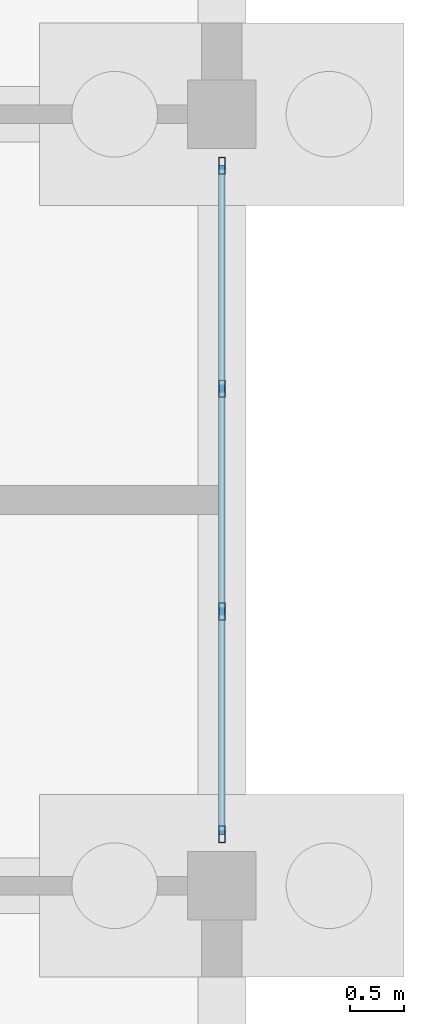
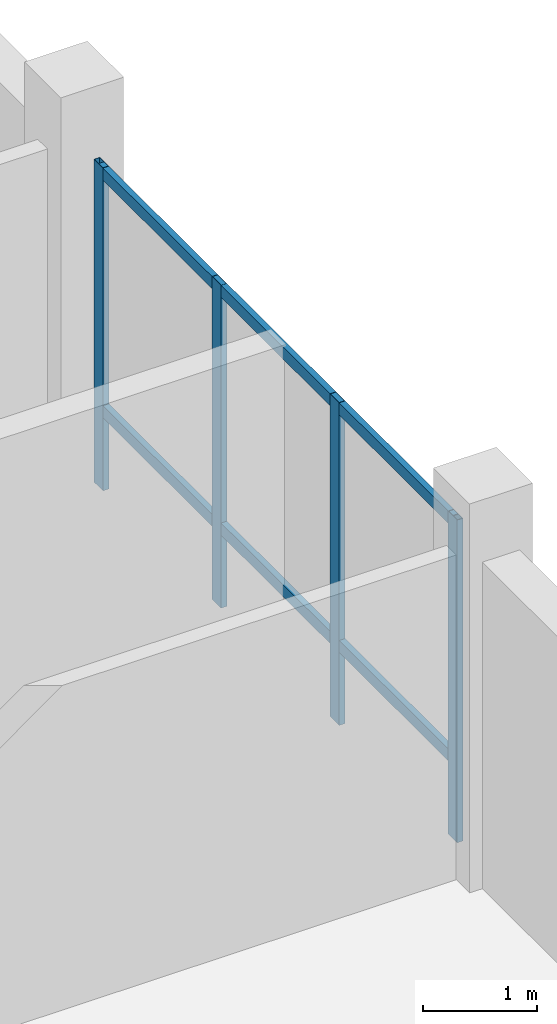
# One storey, part 63 of 98: 6 members, 1 element without a shape of its own.
"""IFC4 building model written with IfcOpenShell, lengths in metres."""

from ifc_helpers import new_model, si_unit, direction, frame, origin, origin_2d, place, context, subcontext, project, spatial, hollow_rectangle, extrude, material, material_profile, profile_set, type_object, element, aggregate, save


model = new_model("IFC4")

# Units and contexts
model_context = context("Model", 3, precision=1e-05, world=origin(), true_north=direction((0.0, 1.0)))
body_context = subcontext(model_context, "Body", "Model", "MODEL_VIEW")
ifc_project = project(units=[si_unit("LENGTHUNIT", "METRE"), si_unit("AREAUNIT", "SQUARE_METRE"), si_unit("VOLUMEUNIT", "CUBIC_METRE"), si_unit("PLANEANGLEUNIT", "RADIAN"), si_unit("MASSUNIT", "GRAM", prefix="KILO")], contexts=[model_context])

# Site, building, storey
site_placement = place(None, origin())
site = spatial("IfcSite", under=ifc_project, at=site_placement, CompositionType="ELEMENT")
building_placement = place(site_placement, origin())
building = spatial("IfcBuilding", under=site, at=building_placement, Name="Zornivar Specialist Clinic", CompositionType="ELEMENT")
storey_placement = place(building_placement, origin())
storey = spatial("IfcBuildingStorey", under=building, at=storey_placement, Name="L00", CompositionType="ELEMENT", Elevation=0.0)

# Curtain wall, members
ifc_material_1 = material(Name="Aluminium and Low-E Glass Curtain Wall", Category="aluminium")
curtain_wall_type = type_object("IfcCurtainWallType", Name="CW-LAB-NORTH", PredefinedType="NOTDEFINED", material=ifc_material_1)
curtain_wall_placement = place(storey_placement, origin())
curtain_wall = element("IfcCurtainWall", 1, at=curtain_wall_placement, inside=storey, type_object=curtain_wall_type, Name="cw:V6:L00:08", PredefinedType="NOTDEFINED")
ifc_material_2 = material(Name="Aluminium AW-6060", Category="aluminium")
ifc_material_profile_1 = material_profile(ifc_material_2, hollow_rectangle(XDim=0.06005859375, YDim=0.159912109375, WallThickness=0.00390625, at=origin_2d()), Name="ALU 60x160x4")
ifc_profile_set_1 = profile_set([ifc_material_profile_1], Name="Aluminium AW-6060")
member_type_1 = type_object("IfcMemberType", Name="CWM-MUL-160", PredefinedType="MULLION", material=ifc_profile_set_1)
member_1_placement = place(storey_placement, frame((165.60009765625, 94.080078125, 0.0), z_axis=(0.0, 0.0, 1.0), x_axis=(1.0, 0.0, 0.0)))
member_1 = element("IfcMember", 2, at=member_1_placement, type_object=member_type_1, Name="cw:V6:L00:08:mul:0", PredefinedType="MULLION", context=body_context, shape_type="SweptSolid", body=[
    extrude(hollow_rectangle(XDim=0.06005859375, YDim=0.159912109375, WallThickness=0.00390625, at=origin_2d()), origin(), (0.0, 0.0, 1.0), 3.469970703125),
])
member_2_placement = place(storey_placement, frame((165.60009765625, 96.159912109375, 0.0), z_axis=(0.0, 0.0, 1.0), x_axis=(1.0, 0.0, 0.0)))
member_2 = element("IfcMember", 3, at=member_2_placement, type_object=member_type_1, Name="cw:V6:L00:08:mul:1", PredefinedType="MULLION", context=body_context, shape_type="SweptSolid", body=[
    extrude(hollow_rectangle(XDim=0.06005859375, YDim=0.159912109375, WallThickness=0.00390625, at=origin_2d()), origin(), (0.0, 0.0, 1.0), 3.469970703125),
])
member_3_placement = place(storey_placement, frame((165.60009765625, 98.239990234375, 0.0), z_axis=(0.0, 0.0, 1.0), x_axis=(1.0, 0.0, 0.0)))
member_3 = element("IfcMember", 4, at=member_3_placement, type_object=member_type_1, Name="cw:V6:L00:08:mul:2", PredefinedType="MULLION", context=body_context, shape_type="SweptSolid", body=[
    extrude(hollow_rectangle(XDim=0.06005859375, YDim=0.159912109375, WallThickness=0.00390625, at=origin_2d()), origin(), (0.0, 0.0, 1.0), 3.469970703125),
])
member_4_placement = place(storey_placement, frame((165.60009765625, 100.320068359375, 0.0), z_axis=(0.0, 0.0, 1.0), x_axis=(1.0, 0.0, 0.0)))
member_4 = element("IfcMember", 5, at=member_4_placement, type_object=member_type_1, Name="cw:V6:L00:08:mul:3", PredefinedType="MULLION", context=body_context, shape_type="SweptSolid", body=[
    extrude(hollow_rectangle(XDim=0.06005859375, YDim=0.159912109375, WallThickness=0.00390625, at=origin_2d()), origin(), (0.0, 0.0, 1.0), 3.469970703125),
])
ifc_material_3 = material(Name="Aluminium AW-6060", Category="aluminium")
ifc_material_profile_2 = material_profile(ifc_material_3, hollow_rectangle(XDim=0.06005859375, YDim=0.1298828125, WallThickness=0.00390625, at=origin_2d()), Name="ALU 60x130x4")
ifc_profile_set_2 = profile_set([ifc_material_profile_2], Name="Aluminium AW-6060")
member_type_2 = type_object("IfcMemberType", Name="CWM-TRN-130", PredefinedType="USERDEFINED", material=ifc_profile_set_2)
member_5_placement = place(storey_placement, frame((165.60009765625, 94.080078125, 0.85009765625), z_axis=(0.0, 1.0, 0.0), x_axis=(-1.0, 0.0, 0.0)))
member_5 = element("IfcMember", 6, at=member_5_placement, type_object=member_type_2, Name="cw:V6:L00:08:trn:0", ObjectType="TRANSOM", PredefinedType="USERDEFINED", context=body_context, shape_type="SweptSolid", body=[
    extrude(hollow_rectangle(XDim=0.06005859375, YDim=0.1298828125, WallThickness=0.00390625, at=origin_2d()), origin(), (0.0, 0.0, 1.0), 6.239990234375),
])
member_6_placement = place(storey_placement, frame((165.60009765625, 94.080078125, 3.405029296875), z_axis=(0.0, 1.0, 0.0), x_axis=(-1.0, 0.0, 0.0)))
member_6 = element("IfcMember", 7, at=member_6_placement, type_object=member_type_2, Name="cw:V6:L00:08:trn:1", ObjectType="TRANSOM", PredefinedType="USERDEFINED", context=body_context, shape_type="SweptSolid", body=[
    extrude(hollow_rectangle(XDim=0.06005859375, YDim=0.1298828125, WallThickness=0.00390625, at=origin_2d()), origin(), (0.0, 0.0, 1.0), 6.239990234375),
])
aggregate(curtain_wall, [member_1, member_2, member_3, member_4, member_5, member_6])

save(model, "model.ifc")
